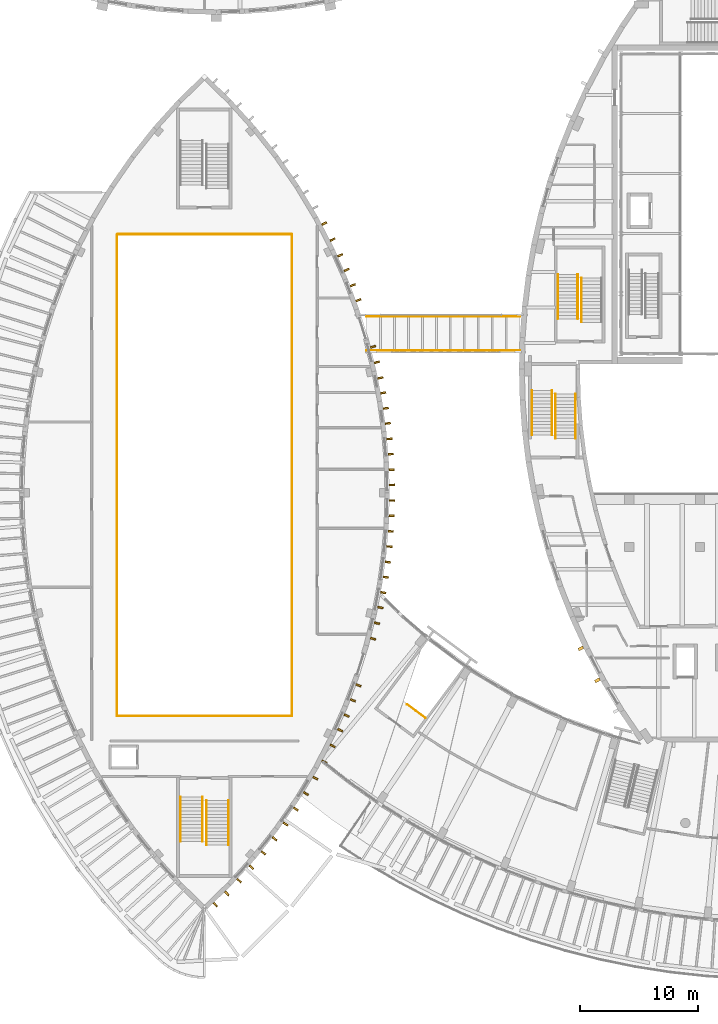
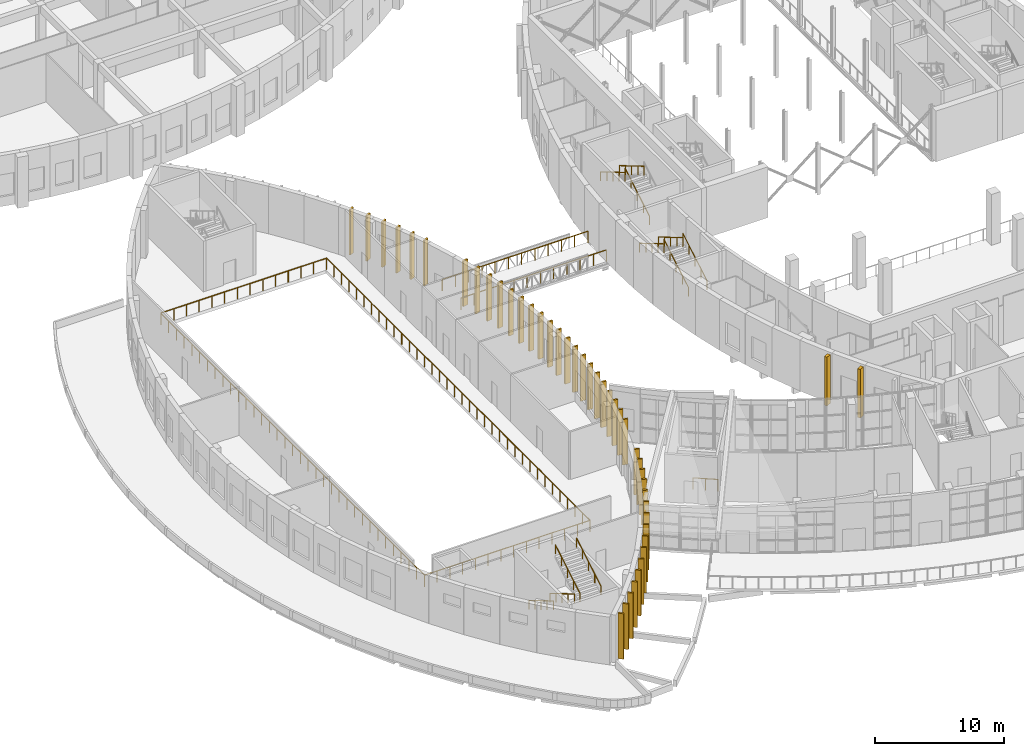
# One storey, part 83 of 93: 44 shading devices, 16 railings.
"""IFC4 building model written with IfcOpenShell, lengths in metres."""

from ifc_helpers import new_model, si_unit, direction, frame, origin, origin_2d, place, context, subcontext, project, spatial, rectangle, circle, extrude, material, layer, layer_set, type_object, element, save


model = new_model("IFC4")

# Units and contexts
model_context = context("Model", 3, precision=1e-05, world=origin(), true_north=direction((0.0, 1.0)))
body_context = subcontext(model_context, "Body", "Model", "MODEL_VIEW")
ifc_project = project(units=[si_unit("LENGTHUNIT", "METRE"), si_unit("AREAUNIT", "SQUARE_METRE"), si_unit("VOLUMEUNIT", "CUBIC_METRE"), si_unit("PLANEANGLEUNIT", "RADIAN"), si_unit("MASSUNIT", "GRAM", prefix="KILO")], contexts=[model_context])

# Site, building, storey
site_placement = place(None, origin())
site = spatial("IfcSite", under=ifc_project, at=site_placement, CompositionType="ELEMENT")
building_placement = place(site_placement, origin())
building = spatial("IfcBuilding", under=site, at=building_placement, Name="Tide Square Theatres", CompositionType="ELEMENT")
storey_placement = place(building_placement, frame((0.0, 0.0, 5.39990234375)))
storey = spatial("IfcBuildingStorey", under=building, at=storey_placement, Name="L01", CompositionType="ELEMENT", Elevation=5.39990234375)

# Shading devices
ifc_material_1 = material(Name="Concrete C40", Category="concrete")
ifc_layer = layer(ifc_material_1, 0.14990234375)
ifc_layer_set = layer_set([ifc_layer], Name="Concrete C40")
shading_device_type = type_object("IfcShadingDeviceType", Name="Concrete fin 450", PredefinedType="USERDEFINED", material=ifc_layer_set)
for number, where, z_axis, x_axis, name in (
    (1, (67.898681640625, 31.3056640625, 0.0), (0.0, 0.0, 1.0), (0.416344267901, -0.90920704495, 0.0), "Concrete fin"),
    (2, (69.306396484375, 28.604248046875, 0.0), (0.0, 0.0, 1.0), (0.466757131825, -0.884385538038, 0.0), "Concrete fin"),
):
    element("IfcShadingDevice", number, at=place(storey_placement, frame(where, z_axis=z_axis, x_axis=x_axis)), inside=storey, type_object=shading_device_type, Name=name, ObjectType="BRISE-SOLEIL FIN", PredefinedType="USERDEFINED", context=body_context, shape_type="SweptSolid", body=[
        extrude(rectangle(XDim=0.25, YDim=0.449951171875, at=origin_2d()), origin(), (0.0, 0.0, 1.0), 4.60009765625),
    ])
for number, where, z_axis, x_axis, name in (
    (3, (36.92431640625, 9.584228515625, 0.0), (0.0, 0.0, 1.0), (0.717263382773, 0.696802152503, 0.0), "Concrete fin"),
    (4, (37.90185546875, 10.533935546875, 0.0), (0.0, 0.0, 1.0), (0.717263382773, 0.696802152503, 0.0), "Concrete fin"),
    (5, (38.938720703125, 11.613525390625, 0.0), (0.0, 0.0, 1.0), (0.670361866799, 0.74203434391, 0.0), "Concrete fin"),
    (6, (39.978515625, 12.76416015625, 0.0), (0.0, 0.0, 1.0), (0.670361866799, 0.74203434391, 0.0), "Concrete fin"),
    (7, (40.998779296875, 13.969482421875, 0.0), (0.0, 0.0, 1.0), (0.620969949886, 0.783834371113, 0.0), "Concrete fin"),
    (8, (41.9482421875, 15.16796875, 0.0), (0.0, 0.0, 1.0), (0.620969949886, 0.783834371113, 0.0), "Concrete fin"),
    (9, (42.882080078125, 16.427978515625, 0.0), (0.0, 0.0, 1.0), (0.569365615032, 0.822084421711, 0.0), "Concrete fin"),
    (10, (43.752685546875, 17.684814453125, 0.0), (0.0, 0.0, 1.0), (0.569365615032, 0.822084421711, 0.0), "Concrete fin"),
    (11, (44.603759765625, 19.002197265625, 0.0), (0.0, 0.0, 1.0), (0.515397079115, 0.856951486865, 0.0), "Concrete fin"),
    (12, (45.391845703125, 20.312255859375, 0.0), (0.0, 0.0, 1.0), (0.515397079115, 0.856951486865, 0.0), "Concrete fin"),
    (13, (46.156494140625, 21.681640625, 0.0), (0.0, 0.0, 1.0), (0.459316325007, 0.888272769808, 0.0), "Concrete fin"),
    (14, (46.85888671875, 23.0400390625, 0.0), (0.0, 0.0, 1.0), (0.459316325007, 0.888272769808, 0.0), "Concrete fin"),
    (15, (47.501220703125, 24.373779296875, 0.0), (0.0, 0.0, 1.0), (0.404630907884, 0.91448008638, 0.0), "Concrete fin"),
    (16, (48.05029296875, 25.614501953125, 0.0), (0.0, 0.0, 1.0), (0.404630907884, 0.91448008638, 0.0), "Concrete fin"),
    (17, (48.576904296875, 26.9033203125, 0.0), (0.0, 0.0, 1.0), (0.351874322832, 0.936047253578, 0.0), "Concrete fin"),
    (18, (49.054443359375, 28.173583984375, 0.0), (0.0, 0.0, 1.0), (0.351874322832, 0.936047253578, 0.0), "Concrete fin"),
    (19, (50.2880859375, 32.126220703125, 0.0), (0.0, 0.0, 1.0), (0.243039435287, 0.97001640857, 0.0), "Concrete fin"),
    (20, (50.617919921875, 33.44287109375, 0.0), (0.0, 0.0, 1.0), (0.243039435287, 0.97001640857, 0.0), "Concrete fin"),
    (21, (50.912353515625, 34.768798828125, 0.0), (0.0, 0.0, 1.0), (0.188735523631, 0.982027953838, 0.0), "Concrete fin"),
    (22, (51.156005859375, 36.036376953125, 0.0), (0.0, 0.0, 1.0), (0.188735523631, 0.982027953838, 0.0), "Concrete fin"),
    (23, (51.370361328125, 37.343017578125, 0.0), (0.0, 0.0, 1.0), (0.135214092527, 0.990816405386, 0.0), "Concrete fin"),
    (24, (51.544921875, 38.6220703125, 0.0), (0.0, 0.0, 1.0), (0.135214092527, 0.990816405386, 0.0), "Concrete fin"),
    (25, (51.688232421875, 39.9384765625, 0.0), (0.0, 0.0, 1.0), (0.081294891247, 0.996690092585, 0.0), "Concrete fin"),
    (26, (51.793212890625, 41.22509765625, 0.0), (0.0, 0.0, 1.0), (0.081294891247, 0.996690092585, 0.0), "Concrete fin"),
    (27, (51.864990234375, 42.547607421875, 0.0), (0.0, 0.0, 1.0), (0.027153985105, 0.999631262563, 0.0), "Concrete fin"),
    (28, (51.89990234375, 43.837890625, 0.0), (0.0, 0.0, 1.0), (0.027153985105, 0.999631262563, 0.0), "Concrete fin"),
    (29, (51.89990234375, 45.162109375, 0.0), (0.0, 0.0, 1.0), (-0.027153985105, 0.999631262563, 0.0), "Concrete fin"),
    (30, (51.864990234375, 46.452392578125, 0.0), (0.0, 0.0, 1.0), (-0.027153985105, 0.999631262563, 0.0), "Concrete fin"),
    (31, (51.793212890625, 47.77490234375, 0.0), (0.0, 0.0, 1.0), (-0.081294891247, 0.996690092585, 0.0), "Concrete fin"),
    (32, (51.688232421875, 49.0615234375, 0.0), (0.0, 0.0, 1.0), (-0.081294891247, 0.996690092585, 0.0), "Concrete fin"),
    (33, (51.544921875, 50.3779296875, 0.0), (0.0, 0.0, 1.0), (-0.135214092527, 0.990816405386, 0.0), "Concrete fin"),
    (34, (51.370361328125, 51.656982421875, 0.0), (0.0, 0.0, 1.0), (-0.135214092527, 0.990816405386, 0.0), "Concrete fin"),
    (35, (51.156005859375, 52.963623046875, 0.0), (0.0, 0.0, 1.0), (-0.188735523631, 0.982027953838, 0.0), "Concrete fin"),
    (36, (50.912353515625, 54.231201171875, 0.0), (0.0, 0.0, 1.0), (-0.188735523631, 0.982027953838, 0.0), "Concrete fin"),
    (37, (50.617919921875, 55.55712890625, 0.0), (0.0, 0.0, 1.0), (-0.243039435287, 0.97001640857, 0.0), "Concrete fin"),
    (38, (50.2880859375, 56.873779296875, 0.0), (0.0, 0.0, 1.0), (-0.243039435287, 0.97001640857, 0.0), "Concrete fin"),
    (39, (49.054443359375, 60.826416015625, 0.0), (0.0, 0.0, 1.0), (-0.351874322832, 0.936047253578, 0.0), "Concrete fin"),
    (40, (48.576904296875, 62.0966796875, 0.0), (0.0, 0.0, 1.0), (-0.351874322832, 0.936047253578, 0.0), "Concrete fin"),
    (41, (48.05029296875, 63.385498046875, 0.0), (0.0, 0.0, 1.0), (-0.404630907884, 0.91448008638, 0.0), "Concrete fin"),
    (42, (47.501220703125, 64.626220703125, 0.0), (0.0, 0.0, 1.0), (-0.404630907884, 0.91448008638, 0.0), "Concrete fin"),
    (43, (46.85888671875, 65.9599609375, 0.0), (0.0, 0.0, 1.0), (-0.459316325007, 0.888272769808, 0.0), "Concrete fin"),
    (44, (46.156494140625, 67.318359375, 0.0), (0.0, 0.0, 1.0), (-0.459316325007, 0.888272769808, 0.0), "Concrete fin"),
):
    element("IfcShadingDevice", number, at=place(storey_placement, frame(where, z_axis=z_axis, x_axis=x_axis)), inside=storey, type_object=shading_device_type, Name=name, ObjectType="BRISE-SOLEIL FIN", PredefinedType="USERDEFINED", context=body_context, shape_type="SweptSolid", body=[
        extrude(rectangle(XDim=0.14990234375, YDim=0.449951171875, at=origin_2d()), origin(), (0.0, 0.0, 1.0), 4.300048828125),
    ])

# Railings
ifc_material_2 = material(Name="Painted steel", Category="steel")
railing_type_1 = type_object("IfcRailingType", Name="Steel guard 1100", PredefinedType="GUARDRAIL", material=ifc_material_2)
for number, where, name in (
    (45, (49.742431640625, 56.550048828125, 0.0), "Bridge BR-W1 guard"),
    (46, (49.742431640625, 59.449951171875, 0.0), "Bridge BR-W1 guard"),
):
    element("IfcRailing", number, at=place(storey_placement, frame(where)), inside=storey, type_object=railing_type_1, Name=name, PredefinedType="GUARDRAIL", context=body_context, shape_type="SweptSolid", body=[
        extrude(circle(Radius=0.02392578125, at=origin_2d()), frame((0.0, 0.0, 1.076171875), z_axis=(1.0, 0.0, 0.0), x_axis=(0.0, 1.0, 0.0)), (0.0, 0.0, 1.0), 13.013427734375),
        extrude(circle(Radius=0.02099609375, at=origin_2d()), origin(), (0.0, 0.0, 1.0), 1.052001953125),
        extrude(circle(Radius=0.02099609375, at=origin_2d()), frame((1.18310546875, 0.0, 0.0)), (0.0, 0.0, 1.0), 1.052001953125),
        extrude(circle(Radius=0.02099609375, at=origin_2d()), frame((2.365966796875, 0.0, 0.0)), (0.0, 0.0, 1.0), 1.052001953125),
        extrude(circle(Radius=0.02099609375, at=origin_2d()), frame((3.549072265625, 0.0, 0.0)), (0.0, 0.0, 1.0), 1.052001953125),
        extrude(circle(Radius=0.02099609375, at=origin_2d()), frame((4.732177734375, 0.0, 0.0)), (0.0, 0.0, 1.0), 1.052001953125),
        extrude(circle(Radius=0.02099609375, at=origin_2d()), frame((5.915283203125, 0.0, 0.0)), (0.0, 0.0, 1.0), 1.052001953125),
        extrude(circle(Radius=0.02099609375, at=origin_2d()), frame((7.09814453125, 0.0, 0.0)), (0.0, 0.0, 1.0), 1.052001953125),
        extrude(circle(Radius=0.02099609375, at=origin_2d()), frame((8.28125, 0.0, 0.0)), (0.0, 0.0, 1.0), 1.052001953125),
        extrude(circle(Radius=0.02099609375, at=origin_2d()), frame((9.46435546875, 0.0, 0.0)), (0.0, 0.0, 1.0), 1.052001953125),
        extrude(circle(Radius=0.02099609375, at=origin_2d()), frame((10.6474609375, 0.0, 0.0)), (0.0, 0.0, 1.0), 1.052001953125),
        extrude(circle(Radius=0.02099609375, at=origin_2d()), frame((11.830322265625, 0.0, 0.0)), (0.0, 0.0, 1.0), 1.052001953125),
        extrude(circle(Radius=0.02099609375, at=origin_2d()), frame((13.013427734375, 0.0, 0.0)), (0.0, 0.0, 1.0), 1.052001953125),
    ])
railing_1_placement = place(storey_placement, frame((54.72900390625, 25.403564453125, 0.0)))
element("IfcRailing", 47, at=railing_1_placement, inside=storey, type_object=railing_type_1, Name="L01 F1 top well guard 1", PredefinedType="GUARDRAIL", context=body_context, shape_type="SweptSolid", body=[
    extrude(circle(Radius=0.02392578125, at=origin_2d()), frame((0.0, 0.0, 1.076171875), z_axis=(-0.803084498834, 0.595865159019, 0.0), x_axis=(-0.595865159019, -0.803084498834, 0.0)), (0.0, 0.0, 1.0), 1.949951171875),
    extrude(circle(Radius=0.02099609375, at=origin_2d()), origin(), (0.0, 0.0, 1.0), 1.052001953125),
    extrude(circle(Radius=0.02099609375, at=origin_2d()), frame((-0.782958984375, 0.5810546875, 0.0)), (0.0, 0.0, 1.0), 1.052001953125),
    extrude(circle(Radius=0.02099609375, at=origin_2d()), frame((-1.56591796875, 1.161865234375, 0.0)), (0.0, 0.0, 1.0), 1.052001953125),
])
railing_2_placement = place(storey_placement, frame((28.590087890625, 66.360107421875, 0.0)))
element("IfcRailing", 48, at=railing_2_placement, inside=storey, type_object=railing_type_1, Name="Studio Theatre gallery guard", PredefinedType="GUARDRAIL", context=body_context, shape_type="SweptSolid", body=[
    extrude(circle(Radius=0.02490234375, at=origin_2d()), frame((0.0, 0.0, 1.0751953125), z_axis=(0.0, -1.0, 0.0), x_axis=(1.0, 0.0, 0.0)), (0.0, 0.0, 1.0), 40.77001953125),
    extrude(circle(Radius=0.02490234375, at=origin_2d()), frame((0.0, -40.77001953125, 1.0751953125), z_axis=(1.0, 0.0, 0.0), x_axis=(0.0, 1.0, 0.0)), (0.0, 0.0, 1.0), 14.81982421875),
    extrude(circle(Radius=0.02001953125, at=origin_2d()), origin(), (0.0, 0.0, 1.0), 1.050048828125),
    extrude(circle(Radius=0.02001953125, at=origin_2d()), frame((0.0, -1.19921875, 0.0)), (0.0, 0.0, 1.0), 1.050048828125),
    extrude(circle(Radius=0.02001953125, at=origin_2d()), frame((0.0, -2.398193359375, 0.0)), (0.0, 0.0, 1.0), 1.050048828125),
    extrude(circle(Radius=0.02001953125, at=origin_2d()), frame((0.0, -3.597412109375, 0.0)), (0.0, 0.0, 1.0), 1.050048828125),
    extrude(circle(Radius=0.02001953125, at=origin_2d()), frame((0.0, -4.79638671875, 0.0)), (0.0, 0.0, 1.0), 1.050048828125),
    extrude(circle(Radius=0.02001953125, at=origin_2d()), frame((0.0, -5.99560546875, 0.0)), (0.0, 0.0, 1.0), 1.050048828125),
    extrude(circle(Radius=0.02001953125, at=origin_2d()), frame((0.0, -7.19482421875, 0.0)), (0.0, 0.0, 1.0), 1.050048828125),
    extrude(circle(Radius=0.02001953125, at=origin_2d()), frame((0.0, -8.393798828125, 0.0)), (0.0, 0.0, 1.0), 1.050048828125),
    extrude(circle(Radius=0.02001953125, at=origin_2d()), frame((0.0, -9.593017578125, 0.0)), (0.0, 0.0, 1.0), 1.050048828125),
    extrude(circle(Radius=0.02001953125, at=origin_2d()), frame((0.0, -10.7919921875, 0.0)), (0.0, 0.0, 1.0), 1.050048828125),
    extrude(circle(Radius=0.02001953125, at=origin_2d()), frame((0.0, -11.9912109375, 0.0)), (0.0, 0.0, 1.0), 1.050048828125),
    extrude(circle(Radius=0.02001953125, at=origin_2d()), frame((0.0, -13.190185546875, 0.0)), (0.0, 0.0, 1.0), 1.050048828125),
    extrude(circle(Radius=0.02001953125, at=origin_2d()), frame((0.0, -14.389404296875, 0.0)), (0.0, 0.0, 1.0), 1.050048828125),
    extrude(circle(Radius=0.02001953125, at=origin_2d()), frame((0.0, -15.588623046875, 0.0)), (0.0, 0.0, 1.0), 1.050048828125),
    extrude(circle(Radius=0.02001953125, at=origin_2d()), frame((0.0, -16.78759765625, 0.0)), (0.0, 0.0, 1.0), 1.050048828125),
    extrude(circle(Radius=0.02001953125, at=origin_2d()), frame((0.0, -17.98681640625, 0.0)), (0.0, 0.0, 1.0), 1.050048828125),
    extrude(circle(Radius=0.02001953125, at=origin_2d()), frame((0.0, -19.185791015625, 0.0)), (0.0, 0.0, 1.0), 1.050048828125),
    extrude(circle(Radius=0.02001953125, at=origin_2d()), frame((0.0, -20.385009765625, 0.0)), (0.0, 0.0, 1.0), 1.050048828125),
    extrude(circle(Radius=0.02001953125, at=origin_2d()), frame((0.0, -21.584228515625, 0.0)), (0.0, 0.0, 1.0), 1.050048828125),
    extrude(circle(Radius=0.02001953125, at=origin_2d()), frame((0.0, -22.783203125, 0.0)), (0.0, 0.0, 1.0), 1.050048828125),
    extrude(circle(Radius=0.02001953125, at=origin_2d()), frame((0.0, -23.982421875, 0.0)), (0.0, 0.0, 1.0), 1.050048828125),
    extrude(circle(Radius=0.02001953125, at=origin_2d()), frame((0.0, -25.181396484375, 0.0)), (0.0, 0.0, 1.0), 1.050048828125),
    extrude(circle(Radius=0.02001953125, at=origin_2d()), frame((0.0, -26.380615234375, 0.0)), (0.0, 0.0, 1.0), 1.050048828125),
    extrude(circle(Radius=0.02001953125, at=origin_2d()), frame((0.0, -27.579833984375, 0.0)), (0.0, 0.0, 1.0), 1.050048828125),
    extrude(circle(Radius=0.02001953125, at=origin_2d()), frame((0.0, -28.77880859375, 0.0)), (0.0, 0.0, 1.0), 1.050048828125),
    extrude(circle(Radius=0.02001953125, at=origin_2d()), frame((0.0, -29.97802734375, 0.0)), (0.0, 0.0, 1.0), 1.050048828125),
    extrude(circle(Radius=0.02001953125, at=origin_2d()), frame((0.0, -31.177001953125, 0.0)), (0.0, 0.0, 1.0), 1.050048828125),
    extrude(circle(Radius=0.02001953125, at=origin_2d()), frame((0.0, -32.376220703125, 0.0)), (0.0, 0.0, 1.0), 1.050048828125),
    extrude(circle(Radius=0.02001953125, at=origin_2d()), frame((0.0, -33.5751953125, 0.0)), (0.0, 0.0, 1.0), 1.050048828125),
    extrude(circle(Radius=0.02001953125, at=origin_2d()), frame((0.0, -34.7744140625, 0.0)), (0.0, 0.0, 1.0), 1.050048828125),
    extrude(circle(Radius=0.02001953125, at=origin_2d()), frame((0.0, -35.9736328125, 0.0)), (0.0, 0.0, 1.0), 1.050048828125),
    extrude(circle(Radius=0.02001953125, at=origin_2d()), frame((0.0, -37.172607421875, 0.0)), (0.0, 0.0, 1.0), 1.050048828125),
    extrude(circle(Radius=0.02001953125, at=origin_2d()), frame((0.0, -38.371826171875, 0.0)), (0.0, 0.0, 1.0), 1.050048828125),
    extrude(circle(Radius=0.02001953125, at=origin_2d()), frame((0.0, -39.57080078125, 0.0)), (0.0, 0.0, 1.0), 1.050048828125),
    extrude(circle(Radius=0.02001953125, at=origin_2d()), frame((0.0, -40.77001953125, 0.0)), (0.0, 0.0, 1.0), 1.050048828125),
    extrude(circle(Radius=0.02001953125, at=origin_2d()), frame((1.139892578125, -40.77001953125, 0.0)), (0.0, 0.0, 1.0), 1.050048828125),
    extrude(circle(Radius=0.02001953125, at=origin_2d()), frame((2.280029296875, -40.77001953125, 0.0)), (0.0, 0.0, 1.0), 1.050048828125),
    extrude(circle(Radius=0.02001953125, at=origin_2d()), frame((3.419921875, -40.77001953125, 0.0)), (0.0, 0.0, 1.0), 1.050048828125),
    extrude(circle(Radius=0.02001953125, at=origin_2d()), frame((4.56005859375, -40.77001953125, 0.0)), (0.0, 0.0, 1.0), 1.050048828125),
    extrude(circle(Radius=0.02001953125, at=origin_2d()), frame((5.699951171875, -40.77001953125, 0.0)), (0.0, 0.0, 1.0), 1.050048828125),
    extrude(circle(Radius=0.02001953125, at=origin_2d()), frame((6.83984375, -40.77001953125, 0.0)), (0.0, 0.0, 1.0), 1.050048828125),
    extrude(circle(Radius=0.02001953125, at=origin_2d()), frame((7.97998046875, -40.77001953125, 0.0)), (0.0, 0.0, 1.0), 1.050048828125),
    extrude(circle(Radius=0.02001953125, at=origin_2d()), frame((9.119873046875, -40.77001953125, 0.0)), (0.0, 0.0, 1.0), 1.050048828125),
    extrude(circle(Radius=0.02001953125, at=origin_2d()), frame((10.259765625, -40.77001953125, 0.0)), (0.0, 0.0, 1.0), 1.050048828125),
    extrude(circle(Radius=0.02001953125, at=origin_2d()), frame((11.39990234375, -40.77001953125, 0.0)), (0.0, 0.0, 1.0), 1.050048828125),
    extrude(circle(Radius=0.02001953125, at=origin_2d()), frame((12.539794921875, -40.77001953125, 0.0)), (0.0, 0.0, 1.0), 1.050048828125),
    extrude(circle(Radius=0.02001953125, at=origin_2d()), frame((13.679931640625, -40.77001953125, 0.0)), (0.0, 0.0, 1.0), 1.050048828125),
    extrude(circle(Radius=0.02001953125, at=origin_2d()), frame((14.81982421875, -40.77001953125, 0.0)), (0.0, 0.0, 1.0), 1.050048828125),
])
railing_3_placement = place(storey_placement, frame((43.409912109375, 25.590087890625, 0.0)))
element("IfcRailing", 49, at=railing_3_placement, inside=storey, type_object=railing_type_1, Name="Studio Theatre gallery guard", PredefinedType="GUARDRAIL", context=body_context, shape_type="SweptSolid", body=[
    extrude(circle(Radius=0.02490234375, at=origin_2d()), frame((0.0, 0.0, 1.0751953125), z_axis=(0.0, 1.0, 0.0), x_axis=(-1.0, 0.0, 0.0)), (0.0, 0.0, 1.0), 40.81982421875),
    extrude(circle(Radius=0.02490234375, at=origin_2d()), frame((0.0, 40.81982421875, 1.0751953125), z_axis=(-1.0, 0.0, 0.0), x_axis=(0.0, -1.0, 0.0)), (0.0, 0.0, 1.0), 14.77001953125),
    extrude(circle(Radius=0.02001953125, at=origin_2d()), origin(), (0.0, 0.0, 1.0), 1.050048828125),
    extrude(circle(Radius=0.02001953125, at=origin_2d()), frame((0.0, 1.166259765625, 0.0)), (0.0, 0.0, 1.0), 1.050048828125),
    extrude(circle(Radius=0.02001953125, at=origin_2d()), frame((0.0, 2.33251953125, 0.0)), (0.0, 0.0, 1.0), 1.050048828125),
    extrude(circle(Radius=0.02001953125, at=origin_2d()), frame((0.0, 3.498779296875, 0.0)), (0.0, 0.0, 1.0), 1.050048828125),
    extrude(circle(Radius=0.02001953125, at=origin_2d()), frame((0.0, 4.6650390625, 0.0)), (0.0, 0.0, 1.0), 1.050048828125),
    extrude(circle(Radius=0.02001953125, at=origin_2d()), frame((0.0, 5.831298828125, 0.0)), (0.0, 0.0, 1.0), 1.050048828125),
    extrude(circle(Radius=0.02001953125, at=origin_2d()), frame((0.0, 6.997802734375, 0.0)), (0.0, 0.0, 1.0), 1.050048828125),
    extrude(circle(Radius=0.02001953125, at=origin_2d()), frame((0.0, 8.1640625, 0.0)), (0.0, 0.0, 1.0), 1.050048828125),
    extrude(circle(Radius=0.02001953125, at=origin_2d()), frame((0.0, 9.330322265625, 0.0)), (0.0, 0.0, 1.0), 1.050048828125),
    extrude(circle(Radius=0.02001953125, at=origin_2d()), frame((0.0, 10.49658203125, 0.0)), (0.0, 0.0, 1.0), 1.050048828125),
    extrude(circle(Radius=0.02001953125, at=origin_2d()), frame((0.0, 11.662841796875, 0.0)), (0.0, 0.0, 1.0), 1.050048828125),
    extrude(circle(Radius=0.02001953125, at=origin_2d()), frame((0.0, 12.8291015625, 0.0)), (0.0, 0.0, 1.0), 1.050048828125),
    extrude(circle(Radius=0.02001953125, at=origin_2d()), frame((0.0, 13.995361328125, 0.0)), (0.0, 0.0, 1.0), 1.050048828125),
    extrude(circle(Radius=0.02001953125, at=origin_2d()), frame((0.0, 15.16162109375, 0.0)), (0.0, 0.0, 1.0), 1.050048828125),
    extrude(circle(Radius=0.02001953125, at=origin_2d()), frame((0.0, 16.327880859375, 0.0)), (0.0, 0.0, 1.0), 1.050048828125),
    extrude(circle(Radius=0.02001953125, at=origin_2d()), frame((0.0, 17.494140625, 0.0)), (0.0, 0.0, 1.0), 1.050048828125),
    extrude(circle(Radius=0.02001953125, at=origin_2d()), frame((0.0, 18.660400390625, 0.0)), (0.0, 0.0, 1.0), 1.050048828125),
    extrude(circle(Radius=0.02001953125, at=origin_2d()), frame((0.0, 19.82666015625, 0.0)), (0.0, 0.0, 1.0), 1.050048828125),
    extrude(circle(Radius=0.02001953125, at=origin_2d()), frame((0.0, 20.9931640625, 0.0)), (0.0, 0.0, 1.0), 1.050048828125),
    extrude(circle(Radius=0.02001953125, at=origin_2d()), frame((0.0, 22.159423828125, 0.0)), (0.0, 0.0, 1.0), 1.050048828125),
    extrude(circle(Radius=0.02001953125, at=origin_2d()), frame((0.0, 23.32568359375, 0.0)), (0.0, 0.0, 1.0), 1.050048828125),
    extrude(circle(Radius=0.02001953125, at=origin_2d()), frame((0.0, 24.491943359375, 0.0)), (0.0, 0.0, 1.0), 1.050048828125),
    extrude(circle(Radius=0.02001953125, at=origin_2d()), frame((0.0, 25.658203125, 0.0)), (0.0, 0.0, 1.0), 1.050048828125),
    extrude(circle(Radius=0.02001953125, at=origin_2d()), frame((0.0, 26.824462890625, 0.0)), (0.0, 0.0, 1.0), 1.050048828125),
    extrude(circle(Radius=0.02001953125, at=origin_2d()), frame((0.0, 27.99072265625, 0.0)), (0.0, 0.0, 1.0), 1.050048828125),
    extrude(circle(Radius=0.02001953125, at=origin_2d()), frame((0.0, 29.156982421875, 0.0)), (0.0, 0.0, 1.0), 1.050048828125),
    extrude(circle(Radius=0.02001953125, at=origin_2d()), frame((0.0, 30.3232421875, 0.0)), (0.0, 0.0, 1.0), 1.050048828125),
    extrude(circle(Radius=0.02001953125, at=origin_2d()), frame((0.0, 31.489501953125, 0.0)), (0.0, 0.0, 1.0), 1.050048828125),
    extrude(circle(Radius=0.02001953125, at=origin_2d()), frame((0.0, 32.65576171875, 0.0)), (0.0, 0.0, 1.0), 1.050048828125),
    extrude(circle(Radius=0.02001953125, at=origin_2d()), frame((0.0, 33.822021484375, 0.0)), (0.0, 0.0, 1.0), 1.050048828125),
    extrude(circle(Radius=0.02001953125, at=origin_2d()), frame((0.0, 34.988525390625, 0.0)), (0.0, 0.0, 1.0), 1.050048828125),
    extrude(circle(Radius=0.02001953125, at=origin_2d()), frame((0.0, 36.15478515625, 0.0)), (0.0, 0.0, 1.0), 1.050048828125),
    extrude(circle(Radius=0.02001953125, at=origin_2d()), frame((0.0, 37.321044921875, 0.0)), (0.0, 0.0, 1.0), 1.050048828125),
    extrude(circle(Radius=0.02001953125, at=origin_2d()), frame((0.0, 38.4873046875, 0.0)), (0.0, 0.0, 1.0), 1.050048828125),
    extrude(circle(Radius=0.02001953125, at=origin_2d()), frame((0.0, 39.653564453125, 0.0)), (0.0, 0.0, 1.0), 1.050048828125),
    extrude(circle(Radius=0.02001953125, at=origin_2d()), frame((0.0, 40.81982421875, 0.0)), (0.0, 0.0, 1.0), 1.050048828125),
    extrude(circle(Radius=0.02001953125, at=origin_2d()), frame((-1.13623046875, 40.81982421875, 0.0)), (0.0, 0.0, 1.0), 1.050048828125),
    extrude(circle(Radius=0.02001953125, at=origin_2d()), frame((-2.272216796875, 40.81982421875, 0.0)), (0.0, 0.0, 1.0), 1.050048828125),
    extrude(circle(Radius=0.02001953125, at=origin_2d()), frame((-3.408447265625, 40.81982421875, 0.0)), (0.0, 0.0, 1.0), 1.050048828125),
    extrude(circle(Radius=0.02001953125, at=origin_2d()), frame((-4.544677734375, 40.81982421875, 0.0)), (0.0, 0.0, 1.0), 1.050048828125),
    extrude(circle(Radius=0.02001953125, at=origin_2d()), frame((-5.6806640625, 40.81982421875, 0.0)), (0.0, 0.0, 1.0), 1.050048828125),
    extrude(circle(Radius=0.02001953125, at=origin_2d()), frame((-6.81689453125, 40.81982421875, 0.0)), (0.0, 0.0, 1.0), 1.050048828125),
    extrude(circle(Radius=0.02001953125, at=origin_2d()), frame((-7.953125, 40.81982421875, 0.0)), (0.0, 0.0, 1.0), 1.050048828125),
    extrude(circle(Radius=0.02001953125, at=origin_2d()), frame((-9.08935546875, 40.81982421875, 0.0)), (0.0, 0.0, 1.0), 1.050048828125),
    extrude(circle(Radius=0.02001953125, at=origin_2d()), frame((-10.225341796875, 40.81982421875, 0.0)), (0.0, 0.0, 1.0), 1.050048828125),
    extrude(circle(Radius=0.02001953125, at=origin_2d()), frame((-11.361572265625, 40.81982421875, 0.0)), (0.0, 0.0, 1.0), 1.050048828125),
    extrude(circle(Radius=0.02001953125, at=origin_2d()), frame((-12.497802734375, 40.81982421875, 0.0)), (0.0, 0.0, 1.0), 1.050048828125),
    extrude(circle(Radius=0.02001953125, at=origin_2d()), frame((-13.6337890625, 40.81982421875, 0.0)), (0.0, 0.0, 1.0), 1.050048828125),
    extrude(circle(Radius=0.02001953125, at=origin_2d()), frame((-14.77001953125, 40.81982421875, 0.0)), (0.0, 0.0, 1.0), 1.050048828125),
])
ifc_material_3 = material(Name="Painted steel", Category="steel")
railing_type_2 = type_object("IfcRailingType", Name="Steel handrail 850", PredefinedType="HANDRAIL", material=ifc_material_3)
railing_4_placement = place(storey_placement, frame((67.9599609375, 58.949951171875, 0.171630859375)))
element("IfcRailing", 50, at=railing_4_placement, inside=storey, type_object=railing_type_2, Name="Stair handrail 1", PredefinedType="HANDRAIL", context=body_context, shape_type="SweptSolid", body=[
    extrude(circle(Radius=0.02490234375, at=origin_2d()), frame((0.0, 0.0, 0.8251953125), z_axis=(0.0, 0.860848830602, 0.508860777473), x_axis=(-1.0, 0.0, 0.0)), (0.0, 0.0, 1.0), 4.37939453125),
    extrude(circle(Radius=0.02001953125, at=origin_2d()), origin(), (0.0, 0.0, 1.0), 0.800048828125),
    extrude(circle(Radius=0.02001953125, at=origin_2d()), frame((0.0, 0.9423828125, 0.55712890625)), (0.0, 0.0, 1.0), 0.800048828125),
    extrude(circle(Radius=0.02001953125, at=origin_2d()), frame((0.0, 1.885009765625, 1.1142578125)), (0.0, 0.0, 1.0), 0.800048828125),
    extrude(circle(Radius=0.02001953125, at=origin_2d()), frame((0.0, 2.82763671875, 1.67138671875)), (0.0, 0.0, 1.0), 0.800048828125),
    extrude(circle(Radius=0.02001953125, at=origin_2d()), frame((0.0, 3.77001953125, 2.228515625)), (0.0, 0.0, 1.0), 0.800048828125),
])
for number, where, name in (
    (51, (67.639892578125, 63.014892578125, 2.571533203125), "Stair handrail 1"),
    (52, (65.9599609375, 63.014892578125, 2.571533203125), "Stair handrail 1"),
):
    element("IfcRailing", number, at=place(storey_placement, frame(where)), inside=storey, type_object=railing_type_2, Name=name, PredefinedType="HANDRAIL", context=body_context, shape_type="SweptSolid", body=[
        extrude(circle(Radius=0.02490234375, at=origin_2d()), frame((0.0, 0.0, 0.8251953125), z_axis=(0.0, -0.860848830602, 0.508860777473), x_axis=(1.0, 0.0, 0.0)), (0.0, 0.0, 1.0), 4.37939453125),
        extrude(circle(Radius=0.02001953125, at=origin_2d()), origin(), (0.0, 0.0, 1.0), 0.800048828125),
        extrude(circle(Radius=0.02001953125, at=origin_2d()), frame((0.0, -0.9423828125, 0.55712890625)), (0.0, 0.0, 1.0), 0.800048828125),
        extrude(circle(Radius=0.02001953125, at=origin_2d()), frame((0.0, -1.885009765625, 1.1142578125)), (0.0, 0.0, 1.0), 0.800048828125),
        extrude(circle(Radius=0.02001953125, at=origin_2d()), frame((0.0, -2.82763671875, 1.67138671875)), (0.0, 0.0, 1.0), 0.800048828125),
        extrude(circle(Radius=0.02001953125, at=origin_2d()), frame((0.0, -3.77001953125, 2.228515625)), (0.0, 0.0, 1.0), 0.800048828125),
    ])
for number, where, name in (
    (53, (67.43994140625, 49.10009765625, 0.171630859375), "Stair handrail 3"),
    (54, (65.760009765625, 49.10009765625, 0.171630859375), "Stair handrail 3"),
):
    element("IfcRailing", number, at=place(storey_placement, frame(where)), inside=storey, type_object=railing_type_2, Name=name, PredefinedType="HANDRAIL", context=body_context, shape_type="SweptSolid", body=[
        extrude(circle(Radius=0.02490234375, at=origin_2d()), frame((0.0, 0.0, 0.8251953125), z_axis=(0.0, 0.860848830602, 0.508860777473), x_axis=(-1.0, 0.0, 0.0)), (0.0, 0.0, 1.0), 4.37939453125),
        extrude(circle(Radius=0.02001953125, at=origin_2d()), origin(), (0.0, 0.0, 1.0), 0.800048828125),
        extrude(circle(Radius=0.02001953125, at=origin_2d()), frame((0.0, 0.9423828125, 0.55712890625)), (0.0, 0.0, 1.0), 0.800048828125),
        extrude(circle(Radius=0.02001953125, at=origin_2d()), frame((0.0, 1.885009765625, 1.1142578125)), (0.0, 0.0, 1.0), 0.800048828125),
        extrude(circle(Radius=0.02001953125, at=origin_2d()), frame((0.0, 2.82763671875, 1.67138671875)), (0.0, 0.0, 1.0), 0.800048828125),
        extrude(circle(Radius=0.02001953125, at=origin_2d()), frame((0.0, 3.77001953125, 2.228515625)), (0.0, 0.0, 1.0), 0.800048828125),
    ])
for number, where, name in (
    (55, (65.43994140625, 53.164794921875, 2.571533203125), "Stair handrail 3"),
    (56, (63.760009765625, 53.164794921875, 2.571533203125), "Stair handrail 3"),
    (57, (33.9599609375, 18.699951171875, 0.171630859375), "Stair handrail 2"),
    (58, (35.840087890625, 18.699951171875, 0.171630859375), "Stair handrail 2"),
):
    element("IfcRailing", number, at=place(storey_placement, frame(where)), inside=storey, type_object=railing_type_2, Name=name, PredefinedType="HANDRAIL", context=body_context, shape_type="SweptSolid", body=[
        extrude(circle(Radius=0.02490234375, at=origin_2d()), frame((0.0, 0.0, 0.8251953125), z_axis=(0.0, -0.860848830602, 0.508860777473), x_axis=(1.0, 0.0, 0.0)), (0.0, 0.0, 1.0), 4.37939453125),
        extrude(circle(Radius=0.02001953125, at=origin_2d()), origin(), (0.0, 0.0, 1.0), 0.800048828125),
        extrude(circle(Radius=0.02001953125, at=origin_2d()), frame((0.0, -0.9423828125, 0.55712890625)), (0.0, 0.0, 1.0), 0.800048828125),
        extrude(circle(Radius=0.02001953125, at=origin_2d()), frame((0.0, -1.885009765625, 1.1142578125)), (0.0, 0.0, 1.0), 0.800048828125),
        extrude(circle(Radius=0.02001953125, at=origin_2d()), frame((0.0, -2.82763671875, 1.67138671875)), (0.0, 0.0, 1.0), 0.800048828125),
        extrude(circle(Radius=0.02001953125, at=origin_2d()), frame((0.0, -3.77001953125, 2.228515625)), (0.0, 0.0, 1.0), 0.800048828125),
    ])
for number, where, name in (
    (59, (36.159912109375, 14.63525390625, 2.571533203125), "Stair handrail 2"),
    (60, (38.0400390625, 14.63525390625, 2.571533203125), "Stair handrail 2"),
):
    element("IfcRailing", number, at=place(storey_placement, frame(where)), inside=storey, type_object=railing_type_2, Name=name, PredefinedType="HANDRAIL", context=body_context, shape_type="SweptSolid", body=[
        extrude(circle(Radius=0.02490234375, at=origin_2d()), frame((0.0, 0.0, 0.8251953125), z_axis=(0.0, 0.860848830602, 0.508860777473), x_axis=(-1.0, 0.0, 0.0)), (0.0, 0.0, 1.0), 4.37939453125),
        extrude(circle(Radius=0.02001953125, at=origin_2d()), origin(), (0.0, 0.0, 1.0), 0.800048828125),
        extrude(circle(Radius=0.02001953125, at=origin_2d()), frame((0.0, 0.9423828125, 0.55712890625)), (0.0, 0.0, 1.0), 0.800048828125),
        extrude(circle(Radius=0.02001953125, at=origin_2d()), frame((0.0, 1.885009765625, 1.1142578125)), (0.0, 0.0, 1.0), 0.800048828125),
        extrude(circle(Radius=0.02001953125, at=origin_2d()), frame((0.0, 2.82763671875, 1.67138671875)), (0.0, 0.0, 1.0), 0.800048828125),
        extrude(circle(Radius=0.02001953125, at=origin_2d()), frame((0.0, 3.77001953125, 2.228515625)), (0.0, 0.0, 1.0), 0.800048828125),
    ])

save(model, "model.ifc")
